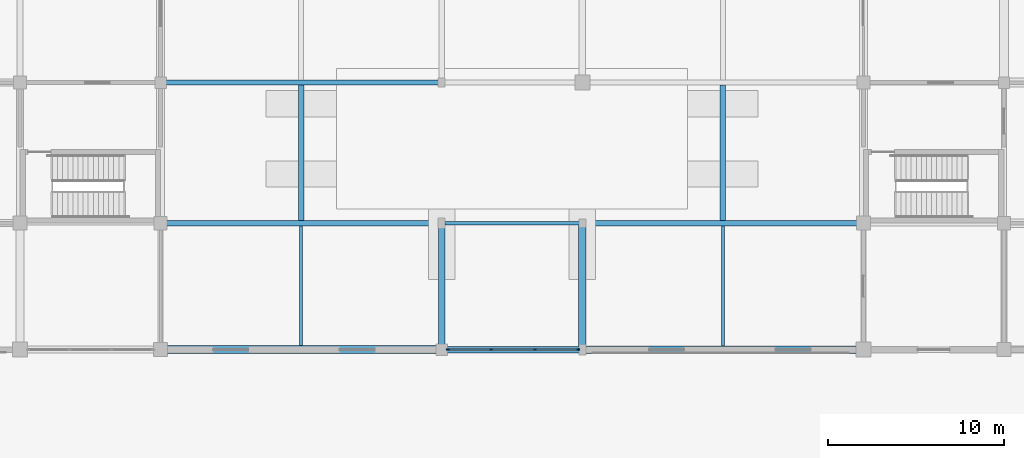
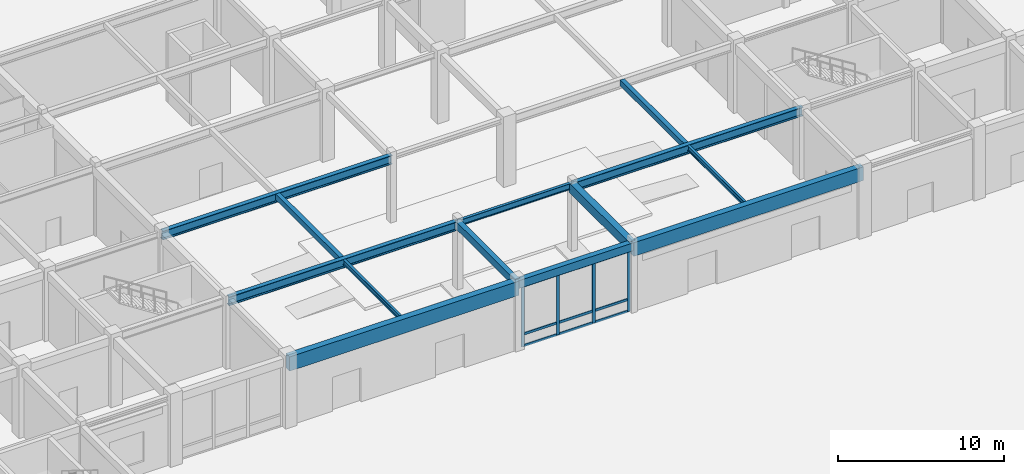
# One storey, part 10 of 40: 13 beams, 13 members, 1 element without a shape of its own.
"""IFC4 building model written with IfcOpenShell, lengths in metres."""

from ifc_helpers import new_model, si_unit, direction, frame, origin, origin_2d, place, context, subcontext, project, spatial, rectangle, i_section, extrude, material, material_profile, profile_set, type_object, element, aggregate, save


model = new_model("IFC4")

# Units and contexts
model_context = context("Model", 3, precision=1e-05, world=origin(), true_north=direction((0.0, 1.0)))
body_context = subcontext(model_context, "Body", "Model", "MODEL_VIEW")
ifc_project = project(units=[si_unit("LENGTHUNIT", "METRE"), si_unit("AREAUNIT", "SQUARE_METRE"), si_unit("VOLUMEUNIT", "CUBIC_METRE"), si_unit("PLANEANGLEUNIT", "RADIAN"), si_unit("MASSUNIT", "GRAM", prefix="KILO")], contexts=[model_context])

# Site, building, storey
site_placement = place(None, origin())
site = spatial("IfcSite", under=ifc_project, at=site_placement, CompositionType="ELEMENT")
building_placement = place(site_placement, origin())
building = spatial("IfcBuilding", under=site, at=building_placement, Name="Vellmiral Cinema and Media Centre", CompositionType="ELEMENT")
storey_placement = place(building_placement, origin())
storey = spatial("IfcBuildingStorey", under=building, at=storey_placement, Name="L00", CompositionType="ELEMENT", Elevation=0.0)

# Beams
ifc_material_1 = material(Name="Concrete C40/50", Category="concrete")
ifc_material_profile_1 = material_profile(ifc_material_1, rectangle(XDim=0.35009765625, YDim=0.550048828125, at=origin_2d()), Name="RC 350x550")
ifc_profile_set_1 = profile_set([ifc_material_profile_1], Name="Concrete C40/50")
beam_type_1 = type_object("IfcBeamType", Name="BM-RC-350x550", PredefinedType="BEAM", material=ifc_profile_set_1)
beam_1_placement = place(storey_placement, frame((78.39990234375, 36.0, 4.800048828125), z_axis=(0.0, 1.0, 0.0), x_axis=(-1.0, 0.0, 0.0)))
element("IfcBeam", 1, at=beam_1_placement, inside=storey, type_object=beam_type_1, Name="Grid Beam L00-Y268", PredefinedType="BEAM", context=body_context, shape_type="SweptSolid", body=[
    extrude(rectangle(XDim=0.35009765625, YDim=0.550048828125, at=origin_2d()), origin(), (0.0, 0.0, 1.0), 7.199951171875),
])
ifc_material_2 = material(Name="Concrete C40/50", Category="concrete")
ifc_material_profile_2 = material_profile(ifc_material_2, rectangle(XDim=0.449951171875, YDim=0.699951171875, at=origin_2d()), Name="RC 450x700")
ifc_profile_set_2 = profile_set([ifc_material_profile_2], Name="Concrete C40/50")
beam_type_2 = type_object("IfcBeamType", Name="BM-RC-450x700", PredefinedType="BEAM", material=ifc_profile_set_2)
beam_2_placement = place(storey_placement, frame((86.39990234375, 36.0, 4.72509765625), z_axis=(0.0, 1.0, 0.0), x_axis=(-1.0, 0.0, 0.0)))
element("IfcBeam", 2, at=beam_2_placement, inside=storey, type_object=beam_type_2, Name="Grid Beam L00-Y275", PredefinedType="BEAM", context=body_context, shape_type="SweptSolid", body=[
    extrude(rectangle(XDim=0.449951171875, YDim=0.699951171875, at=origin_2d()), origin(), (0.0, 0.0, 1.0), 7.199951171875),
])

# Curtain wall, members
ifc_material_3 = material(Name="Thermally Broken Aluminium and Triple Glazing", Category="aluminium")
curtain_wall_type = type_object("IfcCurtainWallType", Name="CW-FOYER-PROM", PredefinedType="USERDEFINED", material=ifc_material_3)
curtain_wall_placement = place(storey_placement, origin())
curtain_wall = element("IfcCurtainWall", 3, at=curtain_wall_placement, inside=storey, type_object=curtain_wall_type, Name="Curtain Wall L00-B015", ObjectType="STICK CURTAIN WALL", PredefinedType="USERDEFINED")
ifc_material_4 = material(Name="Thermally Broken Anodised Aluminium", Category="aluminium")
ifc_material_profile_3 = material_profile(ifc_material_4, rectangle(XDim=0.080078125, YDim=0.199951171875, at=origin_2d()), Name="MULL 80x200")
ifc_profile_set_3 = profile_set([ifc_material_profile_3], Name="Thermally Broken Anodised Aluminium")
member_type_1 = type_object("IfcMemberType", Name="CWM-80x200", PredefinedType="MULLION", material=ifc_profile_set_3)
member_1_placement = place(storey_placement, frame((78.764892578125, 36.0, 0.0), z_axis=(0.0, 0.0, 1.0), x_axis=(0.0, 1.0, 0.0)))
member_1 = element("IfcMember", 4, at=member_1_placement, type_object=member_type_1, Name="CW-02 mullion 1", PredefinedType="MULLION", context=body_context, shape_type="SweptSolid", body=[
    extrude(rectangle(XDim=0.080078125, YDim=0.199951171875, at=origin_2d()), origin(), (0.0, 0.0, 1.0), 4.47998046875),
])
member_2_placement = place(storey_placement, frame((81.216552734375, 36.0, 0.0), z_axis=(0.0, 0.0, 1.0), x_axis=(0.0, 1.0, 0.0)))
member_2 = element("IfcMember", 5, at=member_2_placement, type_object=member_type_1, Name="CW-02 mullion 2", PredefinedType="MULLION", context=body_context, shape_type="SweptSolid", body=[
    extrude(rectangle(XDim=0.080078125, YDim=0.199951171875, at=origin_2d()), origin(), (0.0, 0.0, 1.0), 4.47998046875),
])
member_3_placement = place(storey_placement, frame((83.708251953125, 36.0, 0.0), z_axis=(0.0, 0.0, 1.0), x_axis=(0.0, 1.0, 0.0)))
member_3 = element("IfcMember", 6, at=member_3_placement, type_object=member_type_1, Name="CW-02 mullion 3", PredefinedType="MULLION", context=body_context, shape_type="SweptSolid", body=[
    extrude(rectangle(XDim=0.080078125, YDim=0.199951171875, at=origin_2d()), origin(), (0.0, 0.0, 1.0), 4.47998046875),
])
member_4_placement = place(storey_placement, frame((86.159912109375, 36.0, 0.0), z_axis=(0.0, 0.0, 1.0), x_axis=(0.0, 1.0, 0.0)))
member_4 = element("IfcMember", 7, at=member_4_placement, type_object=member_type_1, Name="CW-02 mullion 4", PredefinedType="MULLION", context=body_context, shape_type="SweptSolid", body=[
    extrude(rectangle(XDim=0.080078125, YDim=0.199951171875, at=origin_2d()), origin(), (0.0, 0.0, 1.0), 4.47998046875),
])
ifc_material_5 = material(Name="Thermally Broken Anodised Aluminium", Category="aluminium")
ifc_material_profile_4 = material_profile(ifc_material_5, rectangle(XDim=0.080078125, YDim=0.179931640625, at=origin_2d()), Name="MULL 80x180")
ifc_profile_set_4 = profile_set([ifc_material_profile_4], Name="Thermally Broken Anodised Aluminium")
member_type_2 = type_object("IfcMemberType", Name="CWT-80x180", PredefinedType="USERDEFINED", material=ifc_profile_set_4)
member_5_placement = place(storey_placement, frame((78.804931640625, 36.0, 0.0400390625), z_axis=(1.0, 0.0, 0.0), x_axis=(0.0, 1.0, 0.0)))
member_5 = element("IfcMember", 8, at=member_5_placement, type_object=member_type_2, Name="CW-02 transom 1.1", ObjectType="TRANSOM", PredefinedType="USERDEFINED", context=body_context, shape_type="SweptSolid", body=[
    extrude(rectangle(XDim=0.080078125, YDim=0.179931640625, at=origin_2d()), origin(), (0.0, 0.0, 1.0), 2.371826171875),
])
member_6_placement = place(storey_placement, frame((78.804931640625, 36.0, 0.89990234375), z_axis=(1.0, 0.0, 0.0), x_axis=(0.0, 1.0, 0.0)))
member_6 = element("IfcMember", 9, at=member_6_placement, type_object=member_type_2, Name="CW-02 transom 1.2", ObjectType="TRANSOM", PredefinedType="USERDEFINED", context=body_context, shape_type="SweptSolid", body=[
    extrude(rectangle(XDim=0.080078125, YDim=0.179931640625, at=origin_2d()), origin(), (0.0, 0.0, 1.0), 2.371826171875),
])
member_7_placement = place(storey_placement, frame((78.804931640625, 36.0, 4.43994140625), z_axis=(1.0, 0.0, 0.0), x_axis=(0.0, 1.0, 0.0)))
member_7 = element("IfcMember", 10, at=member_7_placement, type_object=member_type_2, Name="CW-02 transom 1.3", ObjectType="TRANSOM", PredefinedType="USERDEFINED", context=body_context, shape_type="SweptSolid", body=[
    extrude(rectangle(XDim=0.080078125, YDim=0.179931640625, at=origin_2d()), origin(), (0.0, 0.0, 1.0), 2.371826171875),
])
member_8_placement = place(storey_placement, frame((81.256591796875, 36.0, 0.0400390625), z_axis=(1.0, 0.0, 0.0), x_axis=(0.0, 1.0, 0.0)))
member_8 = element("IfcMember", 11, at=member_8_placement, type_object=member_type_2, Name="CW-02 transom 2.1", ObjectType="TRANSOM", PredefinedType="USERDEFINED", context=body_context, shape_type="SweptSolid", body=[
    extrude(rectangle(XDim=0.080078125, YDim=0.179931640625, at=origin_2d()), origin(), (0.0, 0.0, 1.0), 2.41162109375),
])
member_9_placement = place(storey_placement, frame((81.256591796875, 36.0, 0.89990234375), z_axis=(1.0, 0.0, 0.0), x_axis=(0.0, 1.0, 0.0)))
member_9 = element("IfcMember", 12, at=member_9_placement, type_object=member_type_2, Name="CW-02 transom 2.2", ObjectType="TRANSOM", PredefinedType="USERDEFINED", context=body_context, shape_type="SweptSolid", body=[
    extrude(rectangle(XDim=0.080078125, YDim=0.179931640625, at=origin_2d()), origin(), (0.0, 0.0, 1.0), 2.41162109375),
])
member_10_placement = place(storey_placement, frame((81.256591796875, 36.0, 4.43994140625), z_axis=(1.0, 0.0, 0.0), x_axis=(0.0, 1.0, 0.0)))
member_10 = element("IfcMember", 13, at=member_10_placement, type_object=member_type_2, Name="CW-02 transom 2.3", ObjectType="TRANSOM", PredefinedType="USERDEFINED", context=body_context, shape_type="SweptSolid", body=[
    extrude(rectangle(XDim=0.080078125, YDim=0.179931640625, at=origin_2d()), origin(), (0.0, 0.0, 1.0), 2.41162109375),
])
member_11_placement = place(storey_placement, frame((83.748291015625, 36.0, 0.0400390625), z_axis=(1.0, 0.0, 0.0), x_axis=(0.0, 1.0, 0.0)))
member_11 = element("IfcMember", 14, at=member_11_placement, type_object=member_type_2, Name="CW-02 transom 3.1", ObjectType="TRANSOM", PredefinedType="USERDEFINED", context=body_context, shape_type="SweptSolid", body=[
    extrude(rectangle(XDim=0.080078125, YDim=0.179931640625, at=origin_2d()), origin(), (0.0, 0.0, 1.0), 2.371826171875),
])
member_12_placement = place(storey_placement, frame((83.748291015625, 36.0, 0.89990234375), z_axis=(1.0, 0.0, 0.0), x_axis=(0.0, 1.0, 0.0)))
member_12 = element("IfcMember", 15, at=member_12_placement, type_object=member_type_2, Name="CW-02 transom 3.2", ObjectType="TRANSOM", PredefinedType="USERDEFINED", context=body_context, shape_type="SweptSolid", body=[
    extrude(rectangle(XDim=0.080078125, YDim=0.179931640625, at=origin_2d()), origin(), (0.0, 0.0, 1.0), 2.371826171875),
])
member_13_placement = place(storey_placement, frame((83.748291015625, 36.0, 4.43994140625), z_axis=(1.0, 0.0, 0.0), x_axis=(0.0, 1.0, 0.0)))
member_13 = element("IfcMember", 16, at=member_13_placement, type_object=member_type_2, Name="CW-02 transom 3.3", ObjectType="TRANSOM", PredefinedType="USERDEFINED", context=body_context, shape_type="SweptSolid", body=[
    extrude(rectangle(XDim=0.080078125, YDim=0.179931640625, at=origin_2d()), origin(), (0.0, 0.0, 1.0), 2.371826171875),
])
aggregate(curtain_wall, [member_1, member_2, member_3, member_4, member_5, member_6, member_7, member_8, member_9, member_10, member_11, member_12, member_13])

# Beams
ifc_material_6 = material(Name="Concrete C40/50", Category="concrete")
ifc_material_profile_5 = material_profile(ifc_material_6, rectangle(XDim=0.300048828125, YDim=0.419921875, at=origin_2d()), Name="RC 300x420")
ifc_profile_set_5 = profile_set([ifc_material_profile_5], Name="Concrete C40/50")
beam_type_3 = type_object("IfcBeamType", Name="JST-RC-300x420", PredefinedType="JOIST", material=ifc_profile_set_5)
for number, where, z_axis, x_axis, name in (
    (17, (70.39990234375, 43.35009765625, 4.864990234375), (0.0, 1.0, 0.0), (-1.0, 0.0, 0.0), "Secondary Floor Joist L00-012"),
    (18, (94.39990234375, 43.35009765625, 4.864990234375), (0.0, 1.0, 0.0), (-1.0, 0.0, 0.0), "Secondary Floor Joist L00-018"),
):
    element("IfcBeam", number, at=place(storey_placement, frame(where, z_axis=z_axis, x_axis=x_axis)), inside=storey, type_object=beam_type_3, Name=name, PredefinedType="JOIST", context=body_context, shape_type="SweptSolid", body=[
        extrude(rectangle(XDim=0.300048828125, YDim=0.419921875, at=origin_2d()), origin(), (0.0, 0.0, 1.0), 7.699951171875),
    ])
ifc_material_7 = material(Name="Steel S355", Category="steel")
ifc_material_profile_6 = material_profile(ifc_material_7, i_section(OverallWidth=0.300048828125, OverallDepth=0.64990234375, WebThickness=0.01611328125, FlangeThickness=0.031005859375, FilletRadius=0.027099609375, at=origin_2d()), Name="HEB 650")
ifc_profile_set_6 = profile_set([ifc_material_profile_6], Name="Steel S355")
beam_type_4 = type_object("IfcBeamType", Name="SBM-HEB650", PredefinedType="BEAM", material=ifc_profile_set_6)
for number, where, z_axis, x_axis, name in (
    (19, (62.39990234375, 43.199951171875, 4.75), (1.0, 0.0, 0.0), (0.0, 1.0, 0.0), "Grid Beam L00-X049"),
    (20, (86.39990234375, 43.199951171875, 4.75), (1.0, 0.0, 0.0), (0.0, 1.0, 0.0), "Grid Beam L00-X051"),
    (21, (62.39990234375, 51.199951171875, 4.75), (1.0, 0.0, 0.0), (0.0, 1.0, 0.0), "Grid Beam L00-X060"),
):
    element("IfcBeam", number, at=place(storey_placement, frame(where, z_axis=z_axis, x_axis=x_axis)), inside=storey, type_object=beam_type_4, Name=name, PredefinedType="BEAM", context=body_context, shape_type="SweptSolid", body=[
        extrude(i_section(OverallWidth=0.300048828125, OverallDepth=0.64990234375, WebThickness=0.01611328125, FlangeThickness=0.031005859375, FilletRadius=0.027099609375, at=origin_2d()), origin(), (0.0, 0.0, 1.0), 16.0),
    ])
ifc_material_8 = material(Name="Steel S355", Category="steel")
ifc_material_profile_7 = material_profile(ifc_material_8, i_section(OverallWidth=0.169921875, OverallDepth=0.360107421875, WebThickness=0.008056640625, FlangeThickness=0.0126953125, FilletRadius=0.01806640625, at=origin_2d()), Name="IPE 360")
ifc_profile_set_7 = profile_set([ifc_material_profile_7], Name="Steel S355")
beam_type_5 = type_object("IfcBeamType", Name="SBM-IPE360", PredefinedType="JOIST", material=ifc_profile_set_7)
beam_3_placement = place(storey_placement, frame((70.39990234375, 36.22509765625, 4.89501953125), z_axis=(0.0, 1.0, 0.0), x_axis=(-1.0, 0.0, 0.0)))
element("IfcBeam", 22, at=beam_3_placement, inside=storey, type_object=beam_type_5, Name="Secondary Floor Joist L00-011", PredefinedType="JOIST", context=body_context, shape_type="SweptSolid", body=[
    extrude(i_section(OverallWidth=0.169921875, OverallDepth=0.360107421875, WebThickness=0.008056640625, FlangeThickness=0.0126953125, FilletRadius=0.01806640625, at=origin_2d()), origin(), (0.0, 0.0, 1.0), 6.824951171875),
])
beam_4_placement = place(storey_placement, frame((94.39990234375, 36.2099609375, 4.89501953125), z_axis=(0.0, 1.0, 0.0), x_axis=(-1.0, 0.0, 0.0)))
element("IfcBeam", 23, at=beam_4_placement, inside=storey, type_object=beam_type_5, Name="Secondary Floor Joist L00-017", PredefinedType="JOIST", context=body_context, shape_type="SweptSolid", body=[
    extrude(i_section(OverallWidth=0.169921875, OverallDepth=0.360107421875, WebThickness=0.008056640625, FlangeThickness=0.0126953125, FilletRadius=0.01806640625, at=origin_2d()), origin(), (0.0, 0.0, 1.0), 6.840087890625),
])
ifc_material_9 = material(Name="Steel S355", Category="steel")
ifc_material_profile_8 = material_profile(ifc_material_9, i_section(OverallWidth=0.18994140625, OverallDepth=0.449951171875, WebThickness=0.009521484375, FlangeThickness=0.0146484375, FilletRadius=0.02099609375, at=origin_2d()), Name="IPE 450")
ifc_profile_set_8 = profile_set([ifc_material_profile_8], Name="Steel S355")
beam_type_6 = type_object("IfcBeamType", Name="SBM-IPE450", PredefinedType="BEAM", material=ifc_profile_set_8)
beam_5_placement = place(storey_placement, frame((78.39990234375, 43.199951171875, 4.85009765625), z_axis=(1.0, 0.0, 0.0), x_axis=(0.0, 1.0, 0.0)))
element("IfcBeam", 24, at=beam_5_placement, inside=storey, type_object=beam_type_6, Name="Grid Beam L00-X050", PredefinedType="BEAM", context=body_context, shape_type="SweptSolid", body=[
    extrude(i_section(OverallWidth=0.18994140625, OverallDepth=0.449951171875, WebThickness=0.009521484375, FlangeThickness=0.0146484375, FilletRadius=0.02099609375, at=origin_2d()), origin(), (0.0, 0.0, 1.0), 8.0),
])
ifc_material_10 = material(Name="Concrete C40/50", Category="concrete")
ifc_material_profile_9 = material_profile(ifc_material_10, rectangle(XDim=0.449951171875, YDim=1.050048828125, at=origin_2d()), Name="RC 450x1050")
ifc_profile_set_9 = profile_set([ifc_material_profile_9], Name="Concrete C40/50")
beam_type_7 = type_object("IfcBeamType", Name="SPD-RCG-450x1050", PredefinedType="SPANDREL", material=ifc_profile_set_9)
beam_6_placement = place(storey_placement, frame((62.39990234375, 36.0, 4.550048828125), z_axis=(1.0, 0.0, 0.0), x_axis=(0.0, 1.0, 0.0)))
element("IfcBeam", 25, at=beam_6_placement, inside=storey, type_object=beam_type_7, Name="Grid Beam L00-X031", PredefinedType="SPANDREL", context=body_context, shape_type="SweptSolid", body=[
    extrude(rectangle(XDim=0.449951171875, YDim=1.050048828125, at=origin_2d()), origin(), (0.0, 0.0, 1.0), 16.0),
])
ifc_material_11 = material(Name="Vosges Red Sandstone Masonry", Category="masonry")
ifc_material_profile_10 = material_profile(ifc_material_11, rectangle(XDim=0.3798828125, YDim=0.580078125, at=origin_2d()), Name="SAND 380x580")
ifc_profile_set_10 = profile_set([ifc_material_profile_10], Name="Vosges Red Sandstone Masonry")
beam_type_8 = type_object("IfcBeamType", Name="SPD-SAND-380x580", PredefinedType="SPANDREL", material=ifc_profile_set_10)
beam_7_placement = place(storey_placement, frame((78.39990234375, 36.0, 4.784912109375), z_axis=(1.0, 0.0, 0.0), x_axis=(0.0, 1.0, 0.0)))
element("IfcBeam", 26, at=beam_7_placement, inside=storey, type_object=beam_type_8, Name="Grid Beam L00-X032", PredefinedType="SPANDREL", context=body_context, shape_type="SweptSolid", body=[
    extrude(rectangle(XDim=0.3798828125, YDim=0.580078125, at=origin_2d()), origin(), (0.0, 0.0, 1.0), 8.0),
])
ifc_material_12 = material(Name="Vosges Red Sandstone Masonry", Category="masonry")
ifc_material_profile_11 = material_profile(ifc_material_12, rectangle(XDim=0.419921875, YDim=1.0, at=origin_2d()), Name="SAND 420x1000")
ifc_profile_set_11 = profile_set([ifc_material_profile_11], Name="Vosges Red Sandstone Masonry")
beam_type_9 = type_object("IfcBeamType", Name="SPD-SANDG-420x1000", PredefinedType="SPANDREL", material=ifc_profile_set_11)
beam_8_placement = place(storey_placement, frame((86.39990234375, 36.0, 4.574951171875), z_axis=(1.0, 0.0, 0.0), x_axis=(0.0, 1.0, 0.0)))
element("IfcBeam", 27, at=beam_8_placement, inside=storey, type_object=beam_type_9, Name="Grid Beam L00-X033", PredefinedType="SPANDREL", context=body_context, shape_type="SweptSolid", body=[
    extrude(rectangle(XDim=0.419921875, YDim=1.0, at=origin_2d()), origin(), (0.0, 0.0, 1.0), 16.0),
])

save(model, "model.ifc")
